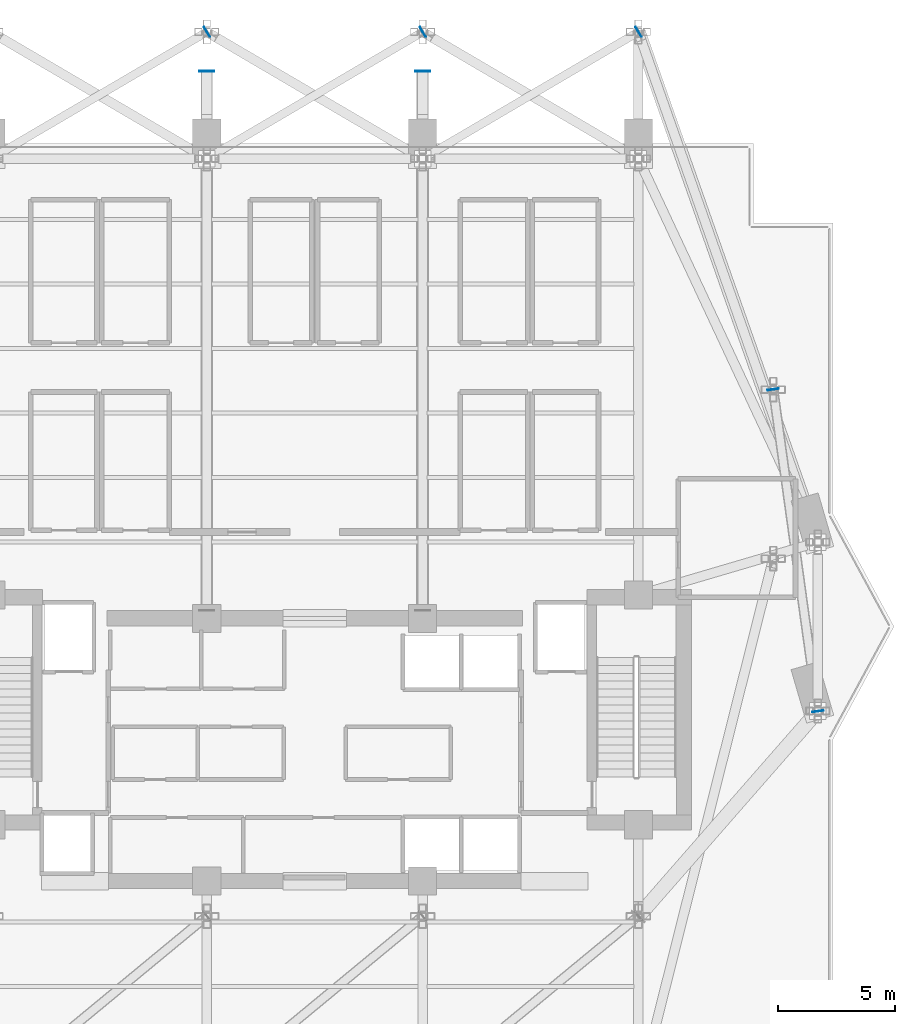
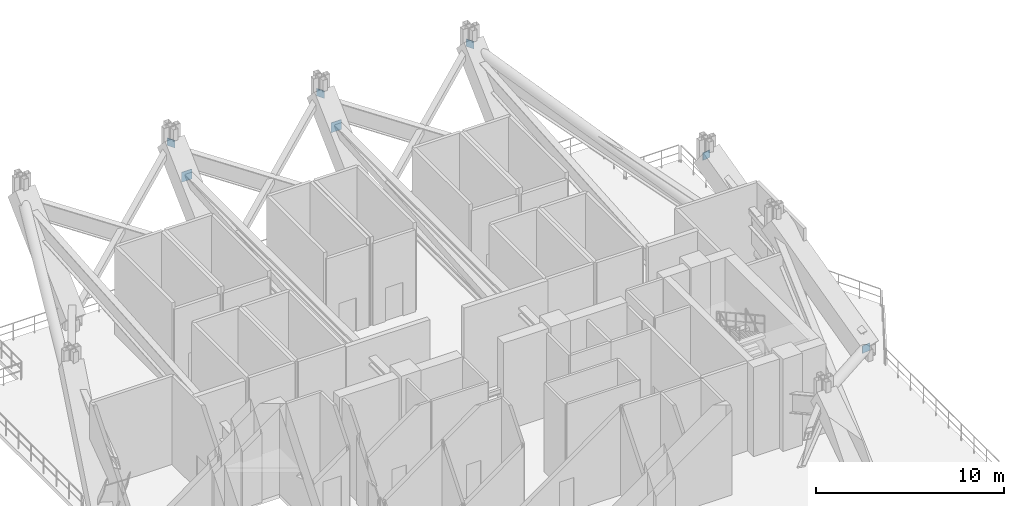
# One storey, part 11 of 18: 7 plates.
"""IFC4 building model written with IfcOpenShell, lengths in metres."""

from ifc_helpers import new_model, si_unit, direction, frame, origin, origin_2d, place, context, subcontext, project, spatial, rectangle, extrude, material, layer, layer_set, type_object, element, save


model = new_model("IFC4")

# Units and contexts
model_context = context("Model", 3, precision=1e-05, world=origin(), true_north=direction((0.0, 1.0)))
body_context = subcontext(model_context, "Body", "Model", "MODEL_VIEW")
ifc_project = project(units=[si_unit("LENGTHUNIT", "METRE"), si_unit("AREAUNIT", "SQUARE_METRE"), si_unit("VOLUMEUNIT", "CUBIC_METRE"), si_unit("PLANEANGLEUNIT", "RADIAN"), si_unit("MASSUNIT", "GRAM", prefix="KILO")], contexts=[model_context])

# Site, building, storey
site_placement = place(None, origin())
site = spatial("IfcSite", under=ifc_project, at=site_placement, CompositionType="ELEMENT")
building_placement = place(site_placement, origin())
building = spatial("IfcBuilding", under=site, at=building_placement, Name="Zuhayl Quay Hotel", CompositionType="ELEMENT")
storey_placement = place(building_placement, frame((0.0, 0.0, 233.64990234375)))
storey = spatial("IfcBuildingStorey", under=building, at=storey_placement, Name="L59", CompositionType="ELEMENT", Elevation=233.64990234375)

# Plates
ifc_material = material(Name="Steel ASTM A572 Grade 50", Category="steel")
ifc_layer_1 = layer(ifc_material, 0.030029296875, Name="Steel ASTM A572 Grade 50", Category="steel")
ifc_layer_set_1 = layer_set([ifc_layer_1], Name="Steel ASTM A572 Grade 50")
plate_type_1 = type_object("IfcPlateType", Name="TP_CAP_PLATE_30", PredefinedType="USERDEFINED", material=ifc_layer_set_1)
for number, where, z_axis, x_axis, name in (
    (1, (-4.590576171875, 38.35546875, 5.2099609375), (0.0, 0.0, 1.0), (0.862425336518, 0.506184293447, 0.0), "Truss Node Cap Assembly KN2"),
    (2, (4.609375, 38.35546875, 5.2099609375), (0.0, 0.0, 1.0), (0.862425336518, 0.506184293447, 0.0), "Truss Node Cap Assembly KN2"),
    (3, (13.809326171875, 38.35546875, 5.2099609375), (0.0, 0.0, 1.0), (0.862425336518, 0.506184293447, 0.0), "Truss Node Cap Assembly KN2"),
    (4, (21.45166015625, 9.388916015625, 0.30126953125), (0.0, 0.0, 1.0), (0.137444546037, -0.990509463238, 0.0), "Truss Node Cap Assembly KN2"),
    (5, (19.54833984375, 23.111083984375, 5.208984375), (0.0, 0.0, 1.0), (-0.137444546037, 0.990509463238, 0.0), "Truss Node Cap Assembly KN2"),
):
    element("IfcPlate", number, at=place(storey_placement, frame(where, z_axis=z_axis, x_axis=x_axis)), inside=storey, type_object=plate_type_1, Name=name, ObjectType="GUSSET PLATE", PredefinedType="USERDEFINED", context=body_context, shape_type="SweptSolid", body=[
        extrude(rectangle(XDim=0.030029296875, YDim=0.489990234375, at=origin_2d()), origin(), (0.0, 0.0, 1.0), 0.489990234375),
    ])
ifc_layer_2 = layer(ifc_material, 0.0400390625, Name="Steel ASTM A572 Grade 50", Category="steel")
ifc_layer_set_2 = layer_set([ifc_layer_2], Name="Steel ASTM A572 Grade 50")
plate_type_2 = type_object("IfcPlateType", Name="TP_CAP_PLATE_40", PredefinedType="USERDEFINED", material=ifc_layer_set_2)
for number, where, z_axis, x_axis, name in (
    (6, (-4.60009765625, 36.6767578125, 4.03125), (0.0, 0.0, 1.0), (0.0, 1.0, 0.0), "Truss Node Cap Assembly KN1"),
    (7, (4.60009765625, 36.6767578125, 4.03125), (0.0, 0.0, 1.0), (0.0, 1.0, 0.0), "Truss Node Cap Assembly KN1"),
):
    element("IfcPlate", number, at=place(storey_placement, frame(where, z_axis=z_axis, x_axis=x_axis)), inside=storey, type_object=plate_type_2, Name=name, ObjectType="GUSSET PLATE", PredefinedType="USERDEFINED", context=body_context, shape_type="SweptSolid", body=[
        extrude(rectangle(XDim=0.0400390625, YDim=0.639892578125, at=origin_2d()), origin(), (0.0, 0.0, 1.0), 0.639892578125),
    ])

save(model, "model.ifc")
